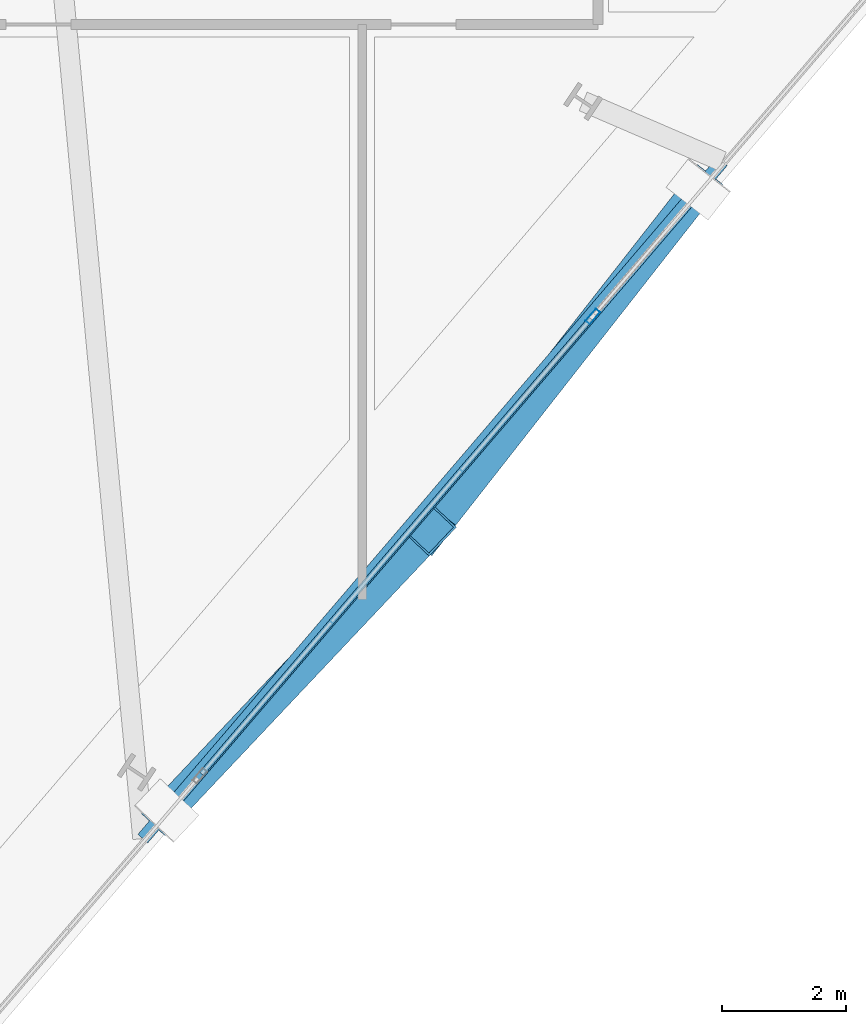
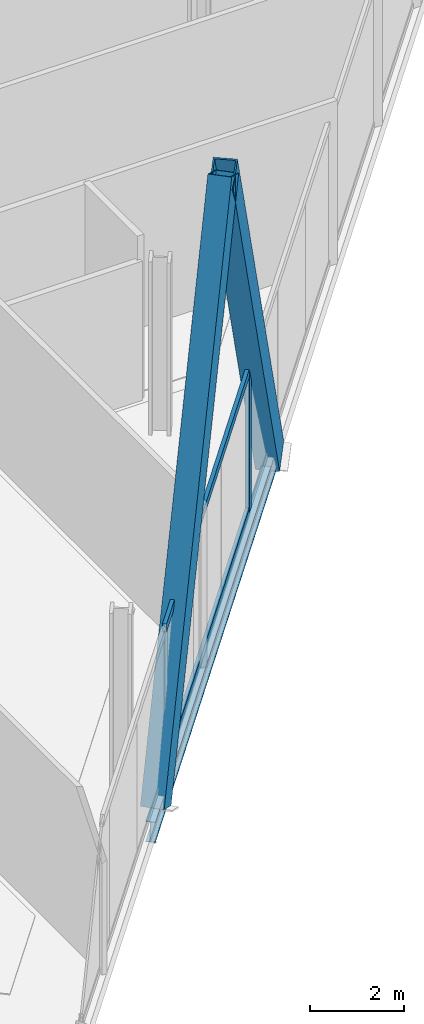
# One storey, part 8 of 26: 5 members, 1 beam, 1 element without a shape of its own.
"""IFC4 building model written with IfcOpenShell, lengths in metres."""

import ifcopenshell
import ifcopenshell.guid

model = None  # the IFC model being written
_history = None  # IfcOwnerHistory: only IFC2X3 demands one
_inside = {}  # id of a spatial element -> (the spatial element, [elements in it])
_under = {}  # id of a project, library or spatial element -> (it, [spatial elements below it])
_declared = {}  # id of a project -> (the project, [libraries it declares])
_typed = {}  # id of a type object -> (the type object, [elements of that type])
_made_of = {}  # id of a material, layer set ... -> (it, [elements and type objects made of it])


def new_model(schema):
    """Start an empty IFC model of exactly this schema.

    Asked for "IFC4X3", IfcOpenShell would pick the latest addendum, in which some entities
    have other attributes; the version numbers below select the first issue.
    IFC2X3 requires an IfcOwnerHistory on every rooted entity: one is made here for all.
    """
    global model, _history
    if schema == "IFC4X3":
        model = ifcopenshell.file(schema_version=(4, 3, 0, 0))
    else:
        model = ifcopenshell.file(schema=schema)
    _inside.clear()
    _under.clear()
    _declared.clear()
    _typed.clear()
    _made_of.clear()
    _history = None
    if model.schema == "IFC2X3":
        org = make("IfcOrganization", Name="unknown")
        user = make(
            "IfcPersonAndOrganization",
            ThePerson=make("IfcPerson", FamilyName="unknown"),
            TheOrganization=org,
        )
        app = make(
            "IfcApplication",
            ApplicationDeveloper=org,
            Version="unknown",
            ApplicationFullName="unknown",
            ApplicationIdentifier="unknown",
        )
        _history = make(
            "IfcOwnerHistory",
            OwningUser=user,
            OwningApplication=app,
            ChangeAction="ADDED",
            CreationDate=0,
        )
    return model


def make(cls, **values):
    """One entity of the class cls with the attributes given. An attribute that is None is left unset."""
    return model.create_entity(
        cls, **{name: value for name, value in values.items() if value is not None}
    )


def rooted(cls, **values):
    """An entity with a GlobalId (a new one), such as an element, a storey or a relation."""
    return make(cls, GlobalId=ifcopenshell.guid.new(), OwnerHistory=_history, **values)


def si_unit(unit_type, name, prefix=None):
    """IfcSIUnit, for example si_unit("LENGTHUNIT", "METRE", prefix="MILLI")."""
    return make("IfcSIUnit", UnitType=unit_type, Prefix=prefix, Name=name)


def assignment(units):
    """IfcUnitAssignment: the units of a project."""
    return None if units is None else make("IfcUnitAssignment", Units=units)


def point(xyz):
    """IfcCartesianPoint."""
    return None if xyz is None else make("IfcCartesianPoint", Coordinates=xyz)


def direction(xyz):
    """IfcDirection."""
    return None if xyz is None else make("IfcDirection", DirectionRatios=xyz)


def frame(location, z_axis=None, x_axis=None):
    """IfcAxis2Placement3D, a coordinate frame: its origin and axes. An axis left out is left unset."""
    return make(
        "IfcAxis2Placement3D",
        Location=point(location),
        Axis=direction(z_axis),
        RefDirection=direction(x_axis),
    )


def frame_2d(location, x_axis=None):
    """IfcAxis2Placement2D, a coordinate frame in the plane: its origin and x axis."""
    return make(
        "IfcAxis2Placement2D", Location=point(location), RefDirection=direction(x_axis)
    )


def origin():
    """The frame at (0, 0, 0) with its axes left unset."""
    return frame((0.0, 0.0, 0.0))


def origin_2d():
    """The frame at (0, 0) in the plane with its x axis left unset."""
    return frame_2d((0.0, 0.0))


def place(relative_to, where):
    """IfcLocalPlacement: puts the frame where relative to a parent placement (None: the world)."""
    return make(
        "IfcLocalPlacement", PlacementRelTo=relative_to, RelativePlacement=where
    )


def context(
    kind, dimensions, precision=None, world=None, true_north=None, identifier=None
):
    """IfcGeometricRepresentationContext, for example the 3D "Model" context."""
    return make(
        "IfcGeometricRepresentationContext",
        ContextIdentifier=identifier,
        ContextType=kind,
        CoordinateSpaceDimension=dimensions,
        Precision=precision,
        WorldCoordinateSystem=world,
        TrueNorth=true_north,
    )


def subcontext(parent, identifier, kind, view, scale=None):
    """IfcGeometricRepresentationSubContext, for example "Body" below "Model"."""
    return make(
        "IfcGeometricRepresentationSubContext",
        ContextIdentifier=identifier,
        ContextType=kind,
        ParentContext=parent,
        TargetScale=scale,
        TargetView=view,
    )


def project(units=None, contexts=None):
    """IfcProject with its units and contexts."""
    return rooted(
        "IfcProject",
        Name="project",
        RepresentationContexts=contexts,
        UnitsInContext=assignment(units),
    )


def spatial(cls, under=None, at=None, **own):
    """A site, building, storey or space (cls), placed at a placement, below another one or the project."""
    s = rooted(cls, ObjectPlacement=at, **own)
    if under is not None:
        _under.setdefault(under.id(), (under, []))[1].append(s)
    return s


def profile(cls, at=None, kind="AREA", **sizes):
    """A parametric profile (cls). Its sizes go by their IFC names, for example OverallWidth=200.0."""
    return make(cls, ProfileType=kind, Position=at, **sizes)


def hollow_rectangle(**sizes):
    """IfcRectangleHollowProfileDef."""
    return profile("IfcRectangleHollowProfileDef", **sizes)


def i_section(**sizes):
    """IfcIShapeProfileDef."""
    return profile("IfcIShapeProfileDef", **sizes)


def extrude(swept, where, along, depth):
    """IfcExtrudedAreaSolid: the profile swept, set in the frame where, extruded along a direction by depth."""
    return make(
        "IfcExtrudedAreaSolid",
        SweptArea=swept,
        Position=where,
        ExtrudedDirection=direction(along),
        Depth=depth,
    )


def shape(context_of_items, identifier, shape_type, items):
    """IfcShapeRepresentation: the items that make up one representation, for example the "Body"."""
    return make(
        "IfcShapeRepresentation",
        ContextOfItems=context_of_items,
        RepresentationIdentifier=identifier,
        RepresentationType=shape_type,
        Items=items,
    )


def material(Name=None, Category=None):
    """IfcMaterial."""
    return make("IfcMaterial", Name=Name, Category=Category)


def material_profile(
    of_material, cross_section, Name=None, Category=None, Priority=None
):
    """IfcMaterialProfile: a cross section and its material."""
    return make(
        "IfcMaterialProfile",
        Name=Name,
        Material=of_material,
        Profile=cross_section,
        Priority=Priority,
        Category=Category,
    )


def profile_set(profiles, Name=None, composite=None):
    """IfcMaterialProfileSet."""
    return make(
        "IfcMaterialProfileSet",
        Name=Name,
        MaterialProfiles=profiles,
        CompositeProfile=composite,
    )


def made_of(thing, what):
    """Note that an element or type object is made of a material, layer set ...; save() writes the relation."""
    if what is not None:
        _made_of.setdefault(what.id(), (what, []))[1].append(thing)
    return thing


def type_object(cls, material=None, **own):
    """A type object (cls), such as IfcWallType, which elements share."""
    return made_of(rooted(cls, **own), material)


def element(
    cls,
    number,
    at=None,
    inside=None,
    cuts=None,
    type_object=None,
    material=None,
    context=None,
    identifier="Body",
    shape_type=None,
    held_by="IfcProductDefinitionShape",
    body=None,
    shapes=None,
    **own,
):
    """One element of the class cls, such as IfcWall. Its Tag is "e" and its number.

    at: its placement. inside: the storey or other place that contains it. cuts: it is an
    opening in that element (IfcRelVoidsElement). A single representation is given by context,
    identifier, shape_type and body (its items); several are given by shapes. held_by: the class
    of the entity that holds the representations. save() writes the other relations.
    """
    e = rooted(cls, Tag="e%d" % number, ObjectPlacement=at, **own)
    if body is not None:
        shapes = [shape(context, identifier, shape_type, body)]
    if shapes is not None:
        e.Representation = make(held_by, Representations=shapes)
    if inside is not None:
        _inside.setdefault(inside.id(), (inside, []))[1].append(e)
    if cuts is not None:
        rooted(
            "IfcRelVoidsElement", RelatingBuildingElement=cuts, RelatedOpeningElement=e
        )
    if type_object is not None:
        _typed.setdefault(type_object.id(), (type_object, []))[1].append(e)
    return made_of(e, material)


def aggregate(whole, parts):
    """IfcRelAggregates: a whole, such as a stair, and the parts it consists of."""
    return rooted("IfcRelAggregates", RelatingObject=whole, RelatedObjects=parts)


def save(model, path):
    """Write the relations noted so far, then the file.

    IfcRelAggregates (storeys below a building ...), IfcRelContainedInSpatialStructure (elements
    in a storey), IfcRelDefinesByType, IfcRelAssociatesMaterial and IfcRelDeclares: one each for
    every whole, place, type object, material and project.
    """
    for whole, parts in _under.values():
        aggregate(whole, parts)
    for where, things in _inside.values():
        rooted(
            "IfcRelContainedInSpatialStructure",
            RelatedElements=things,
            RelatingStructure=where,
        )
    for kind, things in _typed.values():
        rooted("IfcRelDefinesByType", RelatedObjects=things, RelatingType=kind)
    for what, things in _made_of.values():
        rooted("IfcRelAssociatesMaterial", RelatedObjects=things, RelatingMaterial=what)
    for by, libraries in _declared.values():
        rooted("IfcRelDeclares", RelatingContext=by, RelatedDefinitions=libraries)
    model.write(path)


model = new_model("IFC4")

# Units and contexts
model_context = context("Model", 3, precision=1e-05, world=origin(), true_north=direction((0.0, 1.0)))
body_context = subcontext(model_context, "Body", "Model", "MODEL_VIEW")
ifc_project = project(units=[si_unit("LENGTHUNIT", "METRE"), si_unit("AREAUNIT", "SQUARE_METRE"), si_unit("VOLUMEUNIT", "CUBIC_METRE"), si_unit("PLANEANGLEUNIT", "RADIAN"), si_unit("MASSUNIT", "GRAM", prefix="KILO")], contexts=[model_context])

# Site, building, storey
site_placement = place(None, origin())
site = spatial("IfcSite", under=ifc_project, at=site_placement, CompositionType="ELEMENT")
building_placement = place(site_placement, origin())
building = spatial("IfcBuilding", under=site, at=building_placement, Name="Haldenkirk Collegiate Tower", CompositionType="ELEMENT")
storey_placement = place(building_placement, frame((0.0, 0.0, 193.949951171875)))
storey = spatial("IfcBuildingStorey", under=building, at=storey_placement, Name="L48", CompositionType="ELEMENT", Elevation=193.949951171875)

# Beam
ifc_material_1 = material(Name="Steel ASTM A992 Grade 50", Category="steel")
ifc_material_profile_1 = material_profile(ifc_material_1, i_section(OverallWidth=0.2099609375, OverallDepth=0.537109375, WebThickness=0.010986328125, FlangeThickness=0.017333984375, at=origin_2d()), Name="W21X68")
ifc_profile_set_1 = profile_set([ifc_material_profile_1], Name="Steel ASTM A992 Grade 50")
beam_type = type_object("IfcBeamType", Name="BM-SPANDREL-W21X68", PredefinedType="SPANDREL", material=ifc_profile_set_1)
beam_placement = place(storey_placement, frame((46.46337890625, 2.42041015625, -0.678466796875), z_axis=(0.650118258928, 0.759833040482, 0.0), x_axis=(-0.759833040482, 0.650118258928, 0.0)))
element("IfcBeam", 1, at=beam_placement, inside=storey, type_object=beam_type, Name="L48 outer facade edge beam 1", PredefinedType="SPANDREL", context=body_context, shape_type="SweptSolid", body=[
    extrude(i_section(OverallWidth=0.2099609375, OverallDepth=0.537109375, WebThickness=0.010986328125, FlangeThickness=0.017333984375, at=origin_2d()), origin(), (0.0, 0.0, 1.0), 14.372802734375),
])

# Curtain wall, members
ifc_material_2 = material(Name="Anodised architectural bronze aluminium", Category="aluminium")
curtain_wall_type = type_object("IfcCurtainWallType", Name="CW-SYS4-SKYGARDEN", PredefinedType="USERDEFINED", material=ifc_material_2)
curtain_wall_placement = place(storey_placement, origin())
curtain_wall = element("IfcCurtainWall", 2, at=curtain_wall_placement, inside=storey, type_object=curtain_wall_type, Name="L48 Sky-garden tall bronze curtain wall", ObjectType="UNITISED CURTAIN WALL", PredefinedType="USERDEFINED")
ifc_material_profile_2 = material_profile(ifc_material_2, hollow_rectangle(XDim=0.090087890625, YDim=0.260009765625, WallThickness=0.0048828125, at=origin_2d()), Name="CW-MUL-04")
ifc_profile_set_2 = profile_set([ifc_material_profile_2], Name="Anodised architectural bronze aluminium")
member_type_1 = type_object("IfcMemberType", Name="CW-MUL-04", PredefinedType="MULLION", material=ifc_profile_set_2)
member_1_placement = place(storey_placement, frame((53.719482421875, 10.83935546875, 0.0), z_axis=(0.0, 0.0, 1.0), x_axis=(0.759836934452, -0.650113707779, 0.0)))
member_1 = element("IfcMember", 3, at=member_1_placement, type_object=member_type_1, Name="CW-04 mullion 3", PredefinedType="MULLION", context=body_context, shape_type="SweptSolid", body=[
    extrude(hollow_rectangle(XDim=0.090087890625, YDim=0.260009765625, WallThickness=0.0048828125, at=origin_2d()), origin(), (0.0, 0.0, 1.0), 3.677978515625),
])
ifc_material_profile_3 = material_profile(ifc_material_2, hollow_rectangle(XDim=0.090087890625, YDim=0.2099609375, WallThickness=0.0048828125, at=origin_2d()), Name="CW-TRN-04")
ifc_profile_set_3 = profile_set([ifc_material_profile_3], Name="Anodised architectural bronze aluminium")
member_type_2 = type_object("IfcMemberType", Name="CW-TRN-04", PredefinedType="USERDEFINED", material=ifc_profile_set_3)
member_2_placement = place(storey_placement, frame((53.690185546875, 10.80517578125, 0.045166015625), z_axis=(-0.650106349698, -0.759843229937, 0.0), x_axis=(0.759843229937, -0.650106349698, 0.0)))
member_2 = element("IfcMember", 4, at=member_2_placement, type_object=member_type_2, Name="CW-04 transom 3.1", ObjectType="TRANSOM", PredefinedType="USERDEFINED", context=body_context, shape_type="SweptSolid", body=[
    extrude(hollow_rectangle(XDim=0.090087890625, YDim=0.2099609375, WallThickness=0.0048828125, at=origin_2d()), origin(), (0.0, 0.0, 1.0), 9.659912109375),
])
member_3_placement = place(storey_placement, frame((53.690185546875, 10.80517578125, 3.633056640625), z_axis=(-0.650106349698, -0.759843229937, 0.0), x_axis=(0.759843229937, -0.650106349698, 0.0)))
member_3 = element("IfcMember", 5, at=member_3_placement, type_object=member_type_2, Name="CW-04 transom 3.2", ObjectType="TRANSOM", PredefinedType="USERDEFINED", context=body_context, shape_type="SweptSolid", body=[
    extrude(hollow_rectangle(XDim=0.090087890625, YDim=0.2099609375, WallThickness=0.0048828125, at=origin_2d()), origin(), (0.0, 0.0, 1.0), 9.659912109375),
])
aggregate(curtain_wall, [member_1, member_2, member_3])

# Members
ifc_material_3 = material(Name="Steel ASTM A572 Grade 50", Category="steel")
ifc_material_profile_4 = material_profile(ifc_material_3, hollow_rectangle(XDim=0.52001953125, YDim=0.719970703125, WallThickness=0.035888671875, at=origin_2d()), Name="BOX720X520X36")
ifc_profile_set_4 = profile_set([ifc_material_profile_4], Name="Steel ASTM A572 Grade 50")
member_type_3 = type_object("IfcMemberType", Name="MBR-MEGABRACE-BOX720X520X36", PredefinedType="BRACE", material=ifc_profile_set_4)
member_4_placement = place(storey_placement, frame((46.853515625, 2.876220703125, -0.419921875), z_axis=(0.312567021232, 0.331149375243, 0.890304413397), x_axis=(-0.727216105298, 0.686408578177, 0.0)))
element("IfcMember", 6, at=member_4_placement, inside=storey, type_object=member_type_3, Name="Perimeter Mega Brace Z4 L48-L50 SL", PredefinedType="BRACE", context=body_context, shape_type="SweptSolid", body=[
    extrude(hollow_rectangle(XDim=0.52001953125, YDim=0.719970703125, WallThickness=0.035888671875, at=origin_2d()), origin(), (0.0, 0.0, 1.0), 13.62451171875),
])
member_5_placement = place(storey_placement, frame((55.417236328125, 12.88525390625, -0.419921875), z_axis=(-0.307599620584, -0.392776491817, 0.866665506924), x_axis=(0.787301318057, -0.616568434633, 0.0)))
element("IfcMember", 7, at=member_5_placement, inside=storey, type_object=member_type_3, Name="Perimeter Mega Brace Z4 L48-L50 SR", PredefinedType="BRACE", context=body_context, shape_type="SweptSolid", body=[
    extrude(hollow_rectangle(XDim=0.52001953125, YDim=0.719970703125, WallThickness=0.035888671875, at=origin_2d()), origin(), (0.0, 0.0, 1.0), 13.99609375),
])

save(model, "model.ifc")
